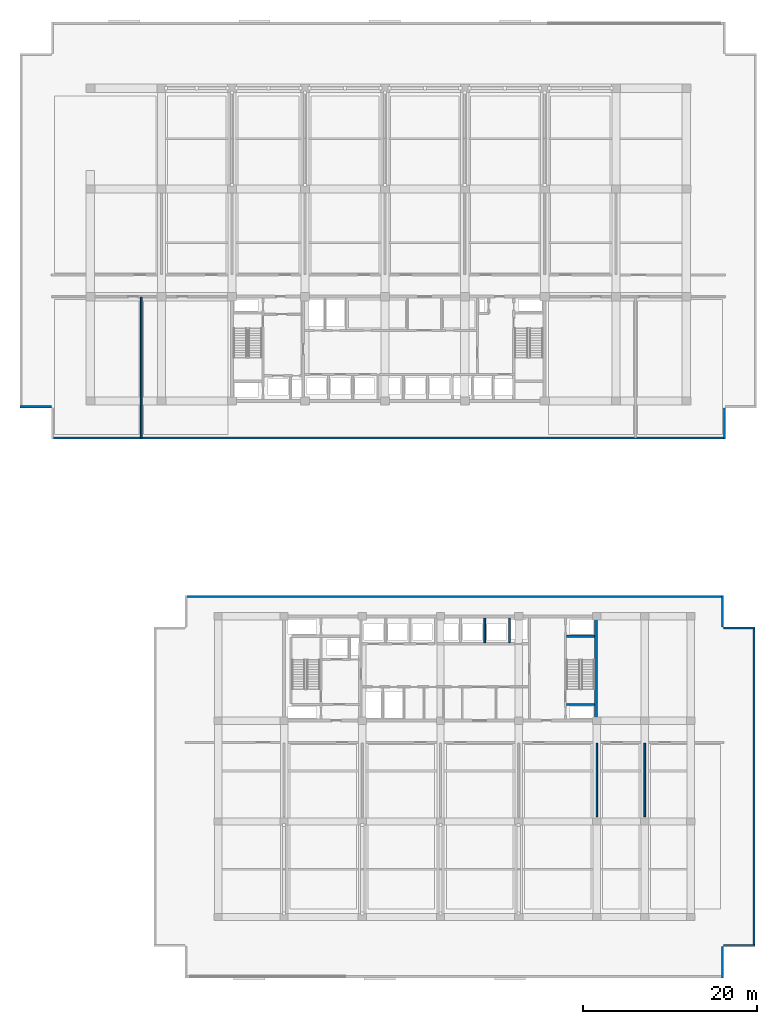
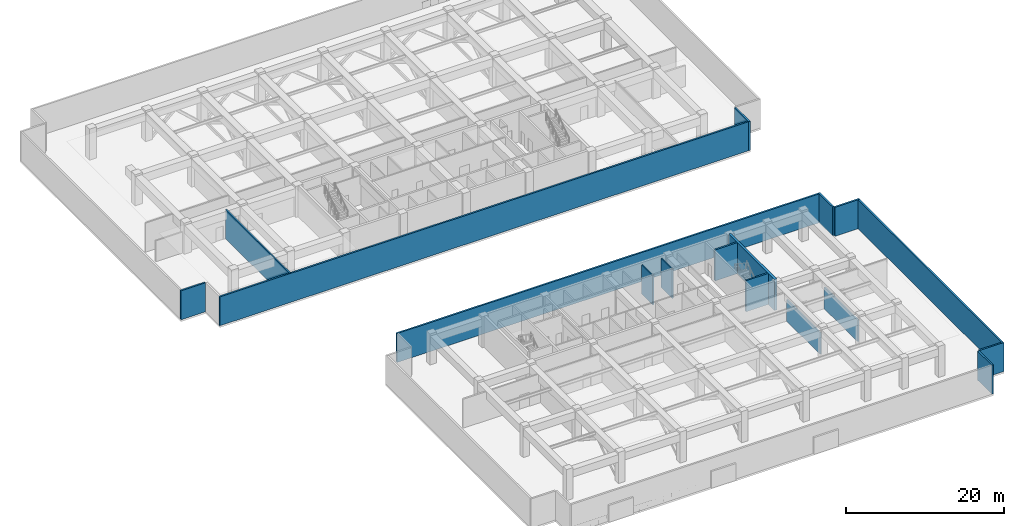
# One storey, part 10 of 21: 17 walls.
"""IFC4 building model written with IfcOpenShell, lengths in metres."""

from ifc_helpers import new_model, si_unit, direction, frame, frame_2d, origin, place, context, subcontext, project, spatial, rectangle, extrude, material, layer, layer_set, type_object, element, save


model = new_model("IFC4")

# Units and contexts
model_context = context("Model", 3, precision=1e-05, world=origin(), true_north=direction((0.0, 1.0)))
body_context = subcontext(model_context, "Body", "Model", "MODEL_VIEW")
ifc_project = project(units=[si_unit("LENGTHUNIT", "METRE"), si_unit("AREAUNIT", "SQUARE_METRE"), si_unit("VOLUMEUNIT", "CUBIC_METRE"), si_unit("PLANEANGLEUNIT", "RADIAN"), si_unit("MASSUNIT", "GRAM", prefix="KILO")], contexts=[model_context])

# Site, building, storey
site_placement = place(None, origin())
site = spatial("IfcSite", under=ifc_project, at=site_placement, CompositionType="ELEMENT")
building_placement = place(site_placement, origin())
building = spatial("IfcBuilding", under=site, at=building_placement, Name="Korimba Cascade Residences", CompositionType="ELEMENT")
storey_placement = place(building_placement, frame((0.0, 0.0, 76.0)))
storey = spatial("IfcBuildingStorey", under=building, at=storey_placement, Name="L21", CompositionType="ELEMENT", Elevation=76.0)

# Walls
ifc_material_1 = material(Name="Precast concrete C40/50", Category="concrete")
ifc_layer_1 = layer(ifc_material_1, 0.25)
ifc_layer_set_1 = layer_set([ifc_layer_1], Name="Precast concrete C40/50")
wall_type_1 = type_object("IfcWallType", Name="EW-PLNT-250", PredefinedType="SHEAR", material=ifc_layer_set_1)
wall_1_placement = place(storey_placement, frame((55.300048828125, 50.925048828125, 0.0), z_axis=(0.0, 0.0, 1.0), x_axis=(1.0, 0.0, 0.0)))
element("IfcWall", 1, at=wall_1_placement, inside=storey, type_object=wall_type_1, Name="L21 T1 Perimeter Stone Wall E00", PredefinedType="SHEAR", context=body_context, shape_type="SweptSolid", body=[
    extrude(rectangle(XDim=77.599853515625, YDim=0.25, at=frame_2d((38.7998046875, 0.0))), origin(), (0.0, 0.0, 1.0), 4.47998046875),
])
wall_2_placement = place(storey_placement, frame((132.77490234375, 50.800048828125, 0.0), z_axis=(0.0, 0.0, 1.0), x_axis=(0.0, 1.0, 0.0)))
element("IfcWall", 2, at=wall_2_placement, inside=storey, type_object=wall_type_1, Name="L21 T1 Perimeter Stone Wall E01", PredefinedType="SHEAR", context=body_context, shape_type="SweptSolid", body=[
    extrude(rectangle(XDim=3.599853515625, YDim=0.25, at=frame_2d((1.7998046875, 0.0))), origin(), (0.0, 0.0, 1.0), 4.47998046875),
])
wall_3_placement = place(storey_placement, frame((51.699951171875, 54.52490234375, 0.0), z_axis=(0.0, 0.0, 1.0), x_axis=(1.0, 0.0, 0.0)))
element("IfcWall", 3, at=wall_3_placement, inside=storey, type_object=wall_type_1, Name="L21 T1 Perimeter Stone Wall E10", PredefinedType="SHEAR", context=body_context, shape_type="SweptSolid", body=[
    extrude(rectangle(XDim=3.60009765625, YDim=0.25, at=frame_2d((1.800048828125, 0.0))), origin(), (0.0, 0.0, 1.0), 4.47998046875),
])
wall_4_placement = place(storey_placement, frame((132.574951171875, -11.199951171875, 0.0), z_axis=(0.0, 0.0, 1.0), x_axis=(0.0, 1.0, 0.0)))
element("IfcWall", 4, at=wall_4_placement, inside=storey, type_object=wall_type_1, Name="L21 T2 Perimeter Stone Wall E01", PredefinedType="SHEAR", context=body_context, shape_type="SweptSolid", body=[
    extrude(rectangle(XDim=3.599853515625, YDim=0.25, at=frame_2d((1.7998046875, 0.0))), origin(), (0.0, 0.0, 1.0), 4.47998046875),
])
wall_5_placement = place(storey_placement, frame((132.699951171875, -7.47509765625, 0.0), z_axis=(0.0, 0.0, 1.0), x_axis=(1.0, 0.0, 0.0)))
element("IfcWall", 5, at=wall_5_placement, inside=storey, type_object=wall_type_1, Name="L21 T2 Perimeter Stone Wall E02", PredefinedType="SHEAR", context=body_context, shape_type="SweptSolid", body=[
    extrude(rectangle(XDim=3.60009765625, YDim=0.25, at=frame_2d((1.800048828125, 0.0))), origin(), (0.0, 0.0, 1.0), 4.47998046875),
])
wall_6_placement = place(storey_placement, frame((136.175048828125, -7.60009765625, 0.0), z_axis=(0.0, 0.0, 1.0), x_axis=(0.0, 1.0, 0.0)))
element("IfcWall", 6, at=wall_6_placement, inside=storey, type_object=wall_type_1, Name="L21 T2 Perimeter Stone Wall E03", PredefinedType="SHEAR", context=body_context, shape_type="SweptSolid", body=[
    extrude(rectangle(XDim=36.800048828125, YDim=0.25, at=frame_2d((18.39990234375, 0.0))), origin(), (0.0, 0.0, 1.0), 4.47998046875),
])
for number, where, z_axis, x_axis, name in (
    (7, (136.300048828125, 29.074951171875, 0.0), (0.0, 0.0, 1.0), (-1.0, 0.0, 0.0), "L21 T2 Perimeter Stone Wall E04"),
    (8, (132.574951171875, 29.199951171875, 0.0), (0.0, 0.0, 1.0), (0.0, 1.0, 0.0), "L21 T2 Perimeter Stone Wall E05"),
):
    element("IfcWall", number, at=place(storey_placement, frame(where, z_axis=z_axis, x_axis=x_axis)), inside=storey, type_object=wall_type_1, Name=name, PredefinedType="SHEAR", context=body_context, shape_type="SweptSolid", body=[
        extrude(rectangle(XDim=3.60009765625, YDim=0.25, at=frame_2d((1.800048828125, 0.0))), origin(), (0.0, 0.0, 1.0), 4.47998046875),
    ])
wall_7_placement = place(storey_placement, frame((132.699951171875, 32.675048828125, 0.0), z_axis=(0.0, 0.0, 1.0), x_axis=(-1.0, 0.0, 0.0)))
element("IfcWall", 9, at=wall_7_placement, inside=storey, type_object=wall_type_1, Name="L21 T2 Perimeter Stone Wall E06", PredefinedType="SHEAR", context=body_context, shape_type="SweptSolid", body=[
    extrude(rectangle(XDim=62.0, YDim=0.25, at=frame_2d((31.0, 0.0))), origin(), (0.0, 0.0, 1.0), 4.47998046875),
])
ifc_material_2 = material(Name="Concrete C65/80", Category="concrete")
ifc_layer_2 = layer(ifc_material_2, 0.35009765625)
ifc_layer_set_2 = layer_set([ifc_layer_2], Name="Concrete C65/80")
wall_type_2 = type_object("IfcWallType", Name="WAL-CORE-350", PredefinedType="SHEAR", material=ifc_layer_set_2)
wall_8_placement = place(storey_placement, frame((118.014892578125, 18.574951171875, 0.0), z_axis=(0.0, 0.0, 1.0), x_axis=(0.0, 1.0, 0.0)))
element("IfcWall", 10, at=wall_8_placement, inside=storey, type_object=wall_type_2, Name="L21 Core Shear Wall CW-L21-T2-E", PredefinedType="SHEAR", context=body_context, shape_type="SweptSolid", body=[
    extrude(rectangle(XDim=11.650146484375, YDim=0.35009765625, at=frame_2d((5.8251953125, 0.0))), origin(), (0.0, 0.0, 1.0), 4.800048828125),
])
ifc_material_3 = material(Name="Concrete C40/50", Category="concrete")
ifc_layer_3 = layer(ifc_material_3, 0.199951171875)
ifc_layer_set_3 = layer_set([ifc_layer_3], Name="Concrete C40/50")
wall_type_3 = type_object("IfcWallType", Name="WAL-PART-200", PredefinedType="PARTITIONING", material=ifc_layer_set_3)
for number, where, z_axis, x_axis, name in (
    (11, (105.199951171875, 27.3798828125, 0.0), (0.0, 0.0, 1.0), (0.0, 1.0, 0.0), "L21 Partition Wall CW-L21-T2-B2D2"),
    (12, (108.050048828125, 27.3798828125, 0.0), (0.0, 0.0, 1.0), (0.0, 1.0, 0.0), "L21 Partition Wall CW-L21-T2-B2D3"),
):
    element("IfcWall", number, at=place(storey_placement, frame(where, z_axis=z_axis, x_axis=x_axis)), inside=storey, type_object=wall_type_3, Name=name, PredefinedType="PARTITIONING", context=body_context, shape_type="SweptSolid", body=[
        extrude(rectangle(XDim=2.820068359375, YDim=0.199951171875, at=frame_2d((1.41015625, 0.0))), origin(), (0.0, 0.0, 1.0), 4.47998046875),
    ])
wall_9_placement = place(storey_placement, frame((65.64990234375, 50.949951171875, 0.0), z_axis=(0.0, 0.0, 1.0), x_axis=(0.0, 1.0, 0.0)))
element("IfcWall", 13, at=wall_9_placement, inside=storey, type_object=wall_type_3, Name="L21 Partition Wall WAL-L21-T1-RWWV", PredefinedType="PARTITIONING", context=body_context, shape_type="SweptSolid", body=[
    extrude(rectangle(XDim=16.199951171875, YDim=0.199951171875, at=frame_2d((8.10009765625, 0.0))), origin(), (0.0, 0.0, 1.0), 4.47998046875),
])
for number, where, z_axis, x_axis, name in (
    (14, (118.10009765625, 7.35009765625, 0.0), (0.0, 0.0, 1.0), (0.0, 1.0, 0.0), "L21 Partition Wall WAL-L21-T2-PD5"),
    (15, (123.60009765625, 7.35009765625, 0.0), (0.0, 0.0, 1.0), (0.0, 1.0, 0.0), "L21 Partition Wall WAL-L21-T2-PD6"),
):
    element("IfcWall", number, at=place(storey_placement, frame(where, z_axis=z_axis, x_axis=x_axis)), inside=storey, type_object=wall_type_3, Name=name, PredefinedType="PARTITIONING", context=body_context, shape_type="SweptSolid", body=[
        extrude(rectangle(XDim=8.449951171875, YDim=0.199951171875, at=frame_2d((4.22509765625, 0.0))), origin(), (0.0, 0.0, 1.0), 3.330078125),
    ])
ifc_material_4 = material(Name="Concrete C50/60", Category="concrete")
ifc_layer_4 = layer(ifc_material_4, 0.25)
ifc_layer_set_4 = layer_set([ifc_layer_4], Name="Concrete C50/60")
wall_type_4 = type_object("IfcWallType", Name="WAL-SHAFT-250", PredefinedType="SHEAR", material=ifc_layer_set_4)
for number, where, z_axis, x_axis, name in (
    (16, (114.60009765625, 20.27490234375, 0.0), (0.0, 0.0, 1.0), (1.0, 0.0, 0.0), "L21 Core Shear Wall CW-L21-T2-STE2S"),
    (17, (114.60009765625, 28.125, 0.0), (0.0, 0.0, 1.0), (1.0, 0.0, 0.0), "L21 Core Shear Wall CW-L21-T2-STE2N"),
):
    element("IfcWall", number, at=place(storey_placement, frame(where, z_axis=z_axis, x_axis=x_axis)), inside=storey, type_object=wall_type_4, Name=name, PredefinedType="SHEAR", context=body_context, shape_type="SweptSolid", body=[
        extrude(rectangle(XDim=3.239990234375, YDim=0.25, at=frame_2d((1.6201171875, 0.0))), origin(), (0.0, 0.0, 1.0), 4.800048828125),
    ])

save(model, "model.ifc")
